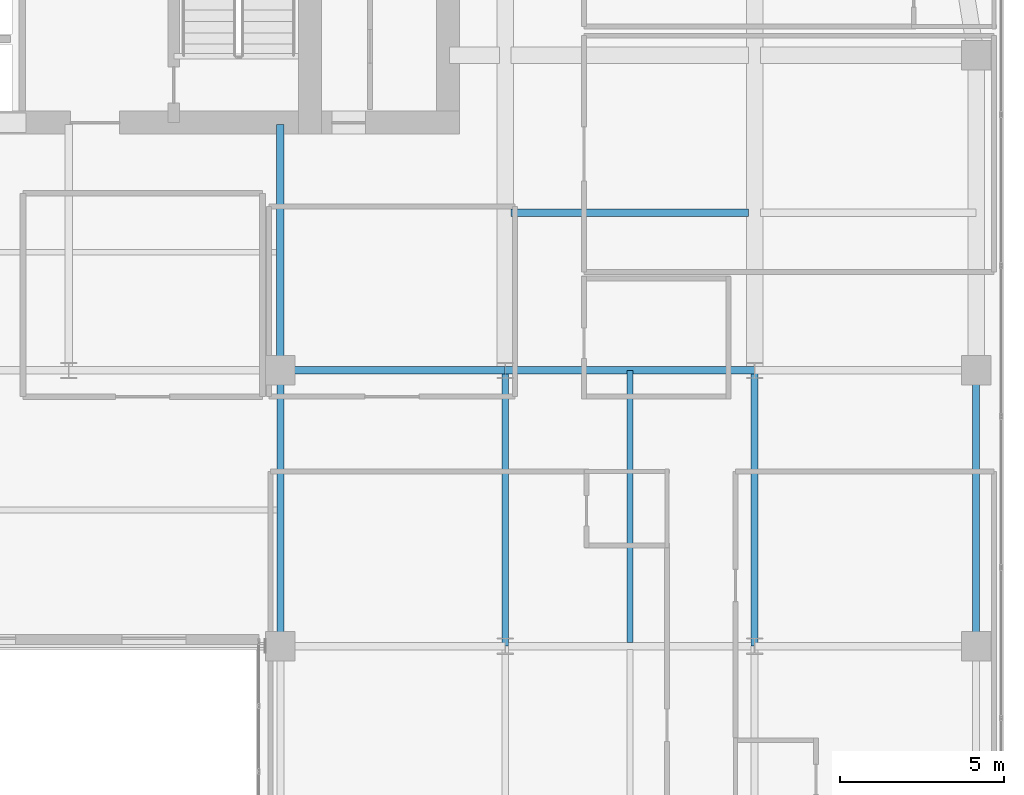
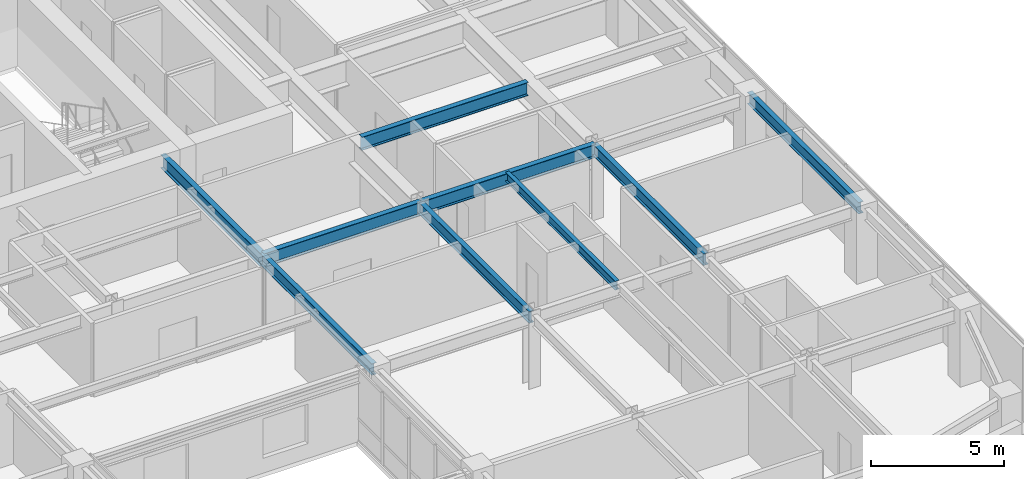
# One storey, part 10 of 25: 9 beams.
"""IFC4 building model written with IfcOpenShell, lengths in metres."""

from ifc_helpers import new_model, si_unit, direction, frame, origin, origin_2d, place, context, subcontext, project, spatial, i_section, extrude, source, transform, mapped, material, material_profile, profile_set, type_object, type_shapes, element, save


model = new_model("IFC4")

# Units and contexts
model_context = context("Model", 3, precision=1e-05, world=origin(), true_north=direction((0.0, 1.0)))
body_context = subcontext(model_context, "Body", "Model", "MODEL_VIEW")
ifc_project = project(units=[si_unit("LENGTHUNIT", "METRE"), si_unit("AREAUNIT", "SQUARE_METRE"), si_unit("VOLUMEUNIT", "CUBIC_METRE"), si_unit("PLANEANGLEUNIT", "RADIAN"), si_unit("MASSUNIT", "GRAM", prefix="KILO")], contexts=[model_context])

# Site, building, storey
site_placement = place(None, origin())
site = spatial("IfcSite", under=ifc_project, at=site_placement, CompositionType="ELEMENT")
building_placement = place(site_placement, origin())
building = spatial("IfcBuilding", under=site, at=building_placement, Name="Tolvann Quenvar Hotel", CompositionType="ELEMENT")
storey_placement = place(building_placement, frame((0.0, 0.0, 122.199951171875)))
storey = spatial("IfcBuildingStorey", under=building, at=storey_placement, Name="L31", CompositionType="ELEMENT", Elevation=122.199951171875)

# Beams
ifc_material = material(Name="Steel Grade 350", Category="steel")
ifc_material_profile_1 = material_profile(ifc_material, i_section(OverallWidth=0.22900390625, OverallDepth=0.612060546875, WebThickness=0.011962890625, FlangeThickness=0.01953125, FilletRadius=0.013916015625, at=origin_2d()), Name="610UB125")
ifc_profile_set_1 = profile_set([ifc_material_profile_1], Name="Steel Grade 350")
beam_type_1 = type_object("IfcBeamType", Name="BM_GIRD_610UB125", PredefinedType="BEAM", material=ifc_profile_set_1)
shared_shape_1 = source(origin(), body_context, "Body", "SweptSolid", [
    extrude(i_section(OverallWidth=0.22900390625, OverallDepth=0.612060546875, WebThickness=0.011962890625, FlangeThickness=0.01953125, FilletRadius=0.013916015625, at=origin_2d()), origin(), (0.0, 0.0, 1.0), 7.599853515625),
])
beam_1_placement = place(storey_placement, frame((41.800048828125, 24.39990234375, 3.06396484375), z_axis=(1.0, 0.0, 0.0), x_axis=(0.0, 1.0, 0.0)))
element("IfcBeam", 1, at=beam_1_placement, inside=storey, type_object=beam_type_1, Name="BM-L31-EW-5-H5-I5", PredefinedType="BEAM", context=body_context, shape_type="MappedRepresentation", body=[
    mapped(shared_shape_1, transform((0.0, 0.0, 0.0), x_axis=(1.0, 0.0, 0.0), y_axis=(0.0, 1.0, 0.0), z_axis=(0.0, 0.0, 1.0), scale=1.0)),
])
shared_shape_2 = source(origin(), body_context, "Body", "SweptSolid", [
    extrude(i_section(OverallWidth=0.22900390625, OverallDepth=0.612060546875, WebThickness=0.011962890625, FlangeThickness=0.01953125, FilletRadius=0.013916015625, at=origin_2d()), origin(), (0.0, 0.0, 1.0), 6.85009765625),
])
beam_2_placement = place(storey_placement, frame((34.949951171875, 24.39990234375, 3.06396484375), z_axis=(1.0, 0.0, 0.0), x_axis=(0.0, 1.0, 0.0)))
element("IfcBeam", 2, at=beam_2_placement, inside=storey, type_object=beam_type_1, Name="BM-L31-EW-5-F5-H5", PredefinedType="BEAM", context=body_context, shape_type="MappedRepresentation", body=[
    mapped(shared_shape_2, transform((0.0, 0.0, 0.0), x_axis=(1.0, 0.0, 0.0), y_axis=(0.0, 1.0, 0.0), z_axis=(0.0, 0.0, 1.0), scale=1.0)),
])
ifc_material_profile_2 = material_profile(ifc_material, i_section(OverallWidth=0.208984375, OverallDepth=0.528076171875, WebThickness=0.009521484375, FlangeThickness=0.01318359375, FilletRadius=0.013916015625, at=origin_2d()), Name="530UB82")
ifc_profile_set_2 = profile_set([ifc_material_profile_2], Name="Steel Grade 350")
beam_type_2 = type_object("IfcBeamType", Name="BM_SPAND_530UB82", PredefinedType="SPANDREL", material=ifc_profile_set_2)
shared_shape_3 = source(origin(), body_context, "Body", "SweptSolid", [
    extrude(i_section(OverallWidth=0.208984375, OverallDepth=0.528076171875, WebThickness=0.009521484375, FlangeThickness=0.01318359375, FilletRadius=0.013916015625, at=origin_2d()), origin(), (0.0, 0.0, 1.0), 8.39990234375),
])
type_shapes(beam_type_2, [shared_shape_3])
beam_3_placement = place(storey_placement, frame((56.14990234375, 16.0, 3.10595703125), z_axis=(0.0, 1.0, 0.0), x_axis=(-1.0, 0.0, 0.0)))
element("IfcBeam", 3, at=beam_3_placement, inside=storey, type_object=beam_type_2, Name="BM-L31-NS-J4-J5", PredefinedType="SPANDREL", context=body_context, shape_type="MappedRepresentation", body=[
    mapped(shared_shape_3, transform((0.0, 0.0, 0.0), x_axis=(1.0, 0.0, 0.0), y_axis=(0.0, 1.0, 0.0), z_axis=(0.0, 0.0, 1.0), scale=1.0)),
])
ifc_material_profile_3 = material_profile(ifc_material, i_section(OverallWidth=0.208984375, OverallDepth=0.532958984375, WebThickness=0.01025390625, FlangeThickness=0.015625, FilletRadius=0.013916015625, at=origin_2d()), Name="530UB92")
ifc_profile_set_3 = profile_set([ifc_material_profile_3], Name="Steel Grade 350")
beam_type_3 = type_object("IfcBeamType", Name="BM_GIRD_530UB92", PredefinedType="BEAM", material=ifc_profile_set_3)
shared_shape_4 = source(origin(), body_context, "Body", "SweptSolid", [
    extrude(i_section(OverallWidth=0.208984375, OverallDepth=0.532958984375, WebThickness=0.01025390625, FlangeThickness=0.015625, FilletRadius=0.013916015625, at=origin_2d()), origin(), (0.0, 0.0, 1.0), 8.39990234375),
])
type_shapes(beam_type_3, [shared_shape_4])
for number, where, z_axis, x_axis, name in (
    (4, (34.949951171875, 16.0, 3.103515625), (0.0, 1.0, 0.0), (-1.0, 0.0, 0.0), "BM-L31-NS-F4-F5"),
    (5, (41.800048828125, 16.0, 3.103515625), (0.0, 1.0, 0.0), (-1.0, 0.0, 0.0), "BM-L31-NS-H4-H5"),
    (6, (49.39990234375, 16.0, 3.103515625), (0.0, 1.0, 0.0), (-1.0, 0.0, 0.0), "BM-L31-NS-I4-I5"),
):
    element("IfcBeam", number, at=place(storey_placement, frame(where, z_axis=z_axis, x_axis=x_axis)), inside=storey, type_object=beam_type_3, Name=name, PredefinedType="BEAM", context=body_context, shape_type="MappedRepresentation", body=[
        mapped(shared_shape_4, transform((0.0, 0.0, 0.0), x_axis=(1.0, 0.0, 0.0), y_axis=(0.0, 1.0, 0.0), z_axis=(0.0, 0.0, 1.0), scale=1.0)),
    ])
shared_shape_5 = source(origin(), body_context, "Body", "SweptSolid", [
    extrude(i_section(OverallWidth=0.22900390625, OverallDepth=0.612060546875, WebThickness=0.011962890625, FlangeThickness=0.01953125, FilletRadius=0.013916015625, at=origin_2d()), origin(), (0.0, 0.0, 1.0), 7.5),
])
beam_4_placement = place(storey_placement, frame((34.949951171875, 24.39990234375, 3.06396484375), z_axis=(0.0, 1.0, 0.0), x_axis=(-1.0, 0.0, 0.0)))
element("IfcBeam", 7, at=beam_4_placement, inside=storey, type_object=beam_type_1, Name="BM-L31-CORE-F5", PredefinedType="BEAM", context=body_context, shape_type="MappedRepresentation", body=[
    mapped(shared_shape_5, transform((0.0, 0.0, 0.0), x_axis=(1.0, 0.0, 0.0), y_axis=(0.0, 1.0, 0.0), z_axis=(0.0, 0.0, 1.0), scale=1.0)),
])
shared_shape_6 = source(origin(), body_context, "Body", "SweptSolid", [
    extrude(i_section(OverallWidth=0.22900390625, OverallDepth=0.612060546875, WebThickness=0.011962890625, FlangeThickness=0.01953125, FilletRadius=0.013916015625, at=origin_2d()), origin(), (0.0, 0.0, 1.0), 7.239990234375),
])
type_shapes(beam_type_1, [shared_shape_1, shared_shape_2, shared_shape_5, shared_shape_6])
beam_5_placement = place(storey_placement, frame((41.97998046875, 29.199951171875, 3.06396484375), z_axis=(1.0, 0.0, 0.0), x_axis=(0.0, 1.0, 0.0)))
element("IfcBeam", 8, at=beam_5_placement, inside=storey, type_object=beam_type_1, Name="BM-L31-EW-HI29", PredefinedType="BEAM", context=body_context, shape_type="MappedRepresentation", body=[
    mapped(shared_shape_6, transform((0.0, 0.0, 0.0), x_axis=(1.0, 0.0, 0.0), y_axis=(0.0, 1.0, 0.0), z_axis=(0.0, 0.0, 1.0), scale=1.0)),
])
ifc_material_profile_4 = material_profile(ifc_material, i_section(OverallWidth=0.177978515625, OverallDepth=0.406005859375, WebThickness=0.0078125, FlangeThickness=0.0126953125, FilletRadius=0.011474609375, at=origin_2d()), Name="410UB60")
ifc_profile_set_4 = profile_set([ifc_material_profile_4], Name="Steel Grade 350")
beam_type_4 = type_object("IfcBeamType", Name="BM_JOIST_410UB60", PredefinedType="JOIST", material=ifc_profile_set_4)
shared_shape_7 = source(origin(), body_context, "Body", "SweptSolid", [
    extrude(i_section(OverallWidth=0.177978515625, OverallDepth=0.406005859375, WebThickness=0.0078125, FlangeThickness=0.0126953125, FilletRadius=0.011474609375, at=origin_2d()), origin(), (0.0, 0.0, 1.0), 8.29150390625),
])
type_shapes(beam_type_4, [shared_shape_7])
beam_6_placement = place(storey_placement, frame((45.60009765625, 16.1083984375, 3.1669921875), z_axis=(0.0, 1.0, 0.0), x_axis=(-1.0, 0.0, 0.0)))
element("IfcBeam", 9, at=beam_6_placement, inside=storey, type_object=beam_type_4, Name="BJ-L31-456-160", PredefinedType="JOIST", context=body_context, shape_type="MappedRepresentation", body=[
    mapped(shared_shape_7, transform((0.0, 0.0, 0.0), x_axis=(1.0, 0.0, 0.0), y_axis=(0.0, 1.0, 0.0), z_axis=(0.0, 0.0, 1.0), scale=1.0)),
])

save(model, "model.ifc")
